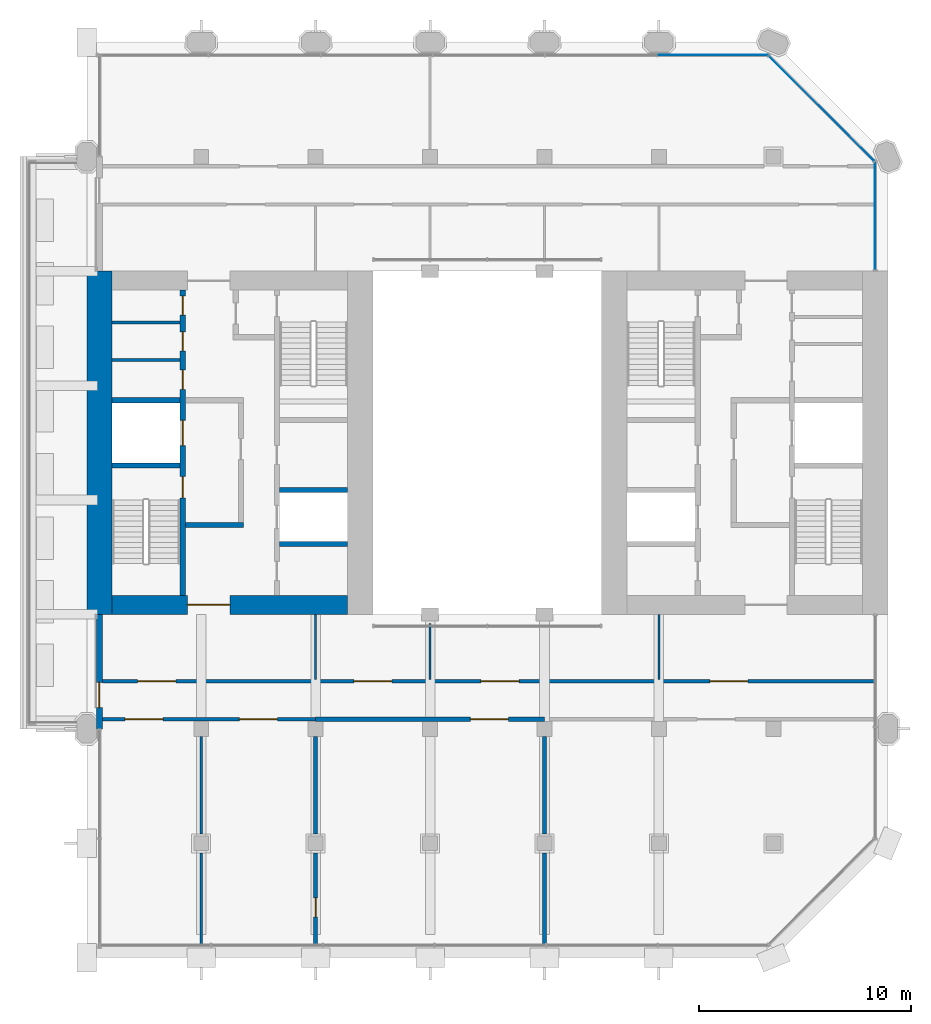
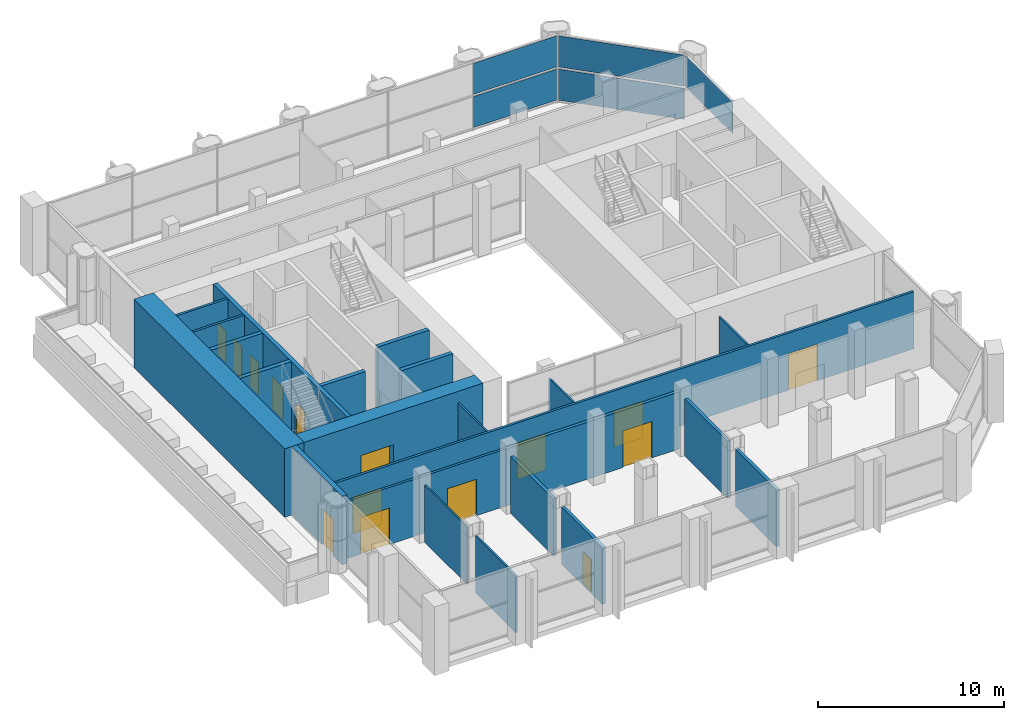
# One storey, part 9 of 14: 23 walls, 15 doors, 5 plates, 15 openings, 3 elements without a shape of their own.
"""IFC4 building model written with IfcOpenShell, lengths in metres."""

from ifc_helpers import new_model, si_unit, direction, frame, frame_2d, origin, origin_2d, place, context, subcontext, project, spatial, rectangle, extrude, material, layer, layer_set, type_object, element, fill, aggregate, save


model = new_model("IFC4")

# Units and contexts
model_context = context("Model", 3, precision=1e-05, world=origin(), true_north=direction((0.0, 1.0)))
body_context = subcontext(model_context, "Body", "Model", "MODEL_VIEW")
ifc_project = project(units=[si_unit("LENGTHUNIT", "METRE"), si_unit("AREAUNIT", "SQUARE_METRE"), si_unit("VOLUMEUNIT", "CUBIC_METRE"), si_unit("PLANEANGLEUNIT", "RADIAN"), si_unit("MASSUNIT", "GRAM", prefix="KILO")], contexts=[model_context])

# Site, building, storey
site_placement = place(None, origin())
site = spatial("IfcSite", under=ifc_project, at=site_placement, CompositionType="ELEMENT")
building_placement = place(site_placement, origin())
building = spatial("IfcBuilding", under=site, at=building_placement, Name="Tabaq Tower and Sports Hall", CompositionType="ELEMENT")
storey_placement = place(building_placement, frame((0.0, 0.0, 250.89990234375)))
storey = spatial("IfcBuildingStorey", under=building, at=storey_placement, Name="L61", CompositionType="ELEMENT", Elevation=250.89990234375)

# Curtain wall, plate
ifc_material_1 = material(Name="Aluminium alloy 6063-T6 framed glazing", Category="aluminium")
curtain_wall_type = type_object("IfcCurtainWallType", Name="CW3 curtain wall", PredefinedType="USERDEFINED", material=ifc_material_1)
curtain_wall_1_placement = place(storey_placement, origin())
curtain_wall_1 = element("IfcCurtainWall", 1, at=curtain_wall_1_placement, inside=storey, type_object=curtain_wall_type, Name="Garden Floor Wall L61 E", ObjectType="GARDEN FLOOR WALL", PredefinedType="USERDEFINED")
ifc_material_2 = material(Name="Clear low-emissivity glass 28 mm", Category="glass")
ifc_layer_1 = layer(ifc_material_2, 0.028076171875)
ifc_layer_set_1 = layer_set([ifc_layer_1], Name="CW3 glass panel 28")
plate_type = type_object("IfcPlateType", Name="CW3 glass panel 28", PredefinedType="CURTAIN_PANEL", material=ifc_layer_set_1)
plate_1_placement = place(storey_placement, frame((42.60009765625, 35.0068359375, 2.320068359375), z_axis=(0.0, 0.0, 1.0), x_axis=(0.0, 1.0, 0.0)))
plate_1 = element("IfcPlate", 2, at=plate_1_placement, type_object=plate_type, Name="CW3 panel 1.2", PredefinedType="CURTAIN_PANEL", context=body_context, shape_type="SweptSolid", body=[
    extrude(rectangle(XDim=5.093505859375, YDim=0.028076171875, at=origin_2d()), origin(), (0.0, 0.0, 1.0), 2.0400390625),
])
aggregate(curtain_wall_1, [plate_1])

# Curtain wall, plates
curtain_wall_2_placement = place(storey_placement, origin())
curtain_wall_2 = element("IfcCurtainWall", 3, at=curtain_wall_2_placement, inside=storey, type_object=curtain_wall_type, Name="Garden Floor Wall L61 NE", ObjectType="GARDEN FLOOR WALL", PredefinedType="USERDEFINED")
plate_2_placement = place(storey_placement, frame((40.07568359375, 40.07568359375, 0.14013671875), z_axis=(0.0, 0.0, 1.0), x_axis=(-0.707106781187, 0.707106781187, 0.0)))
plate_2 = element("IfcPlate", 4, at=plate_2_placement, type_object=plate_type, Name="CW3 panel 1.1", PredefinedType="CURTAIN_PANEL", context=body_context, shape_type="SweptSolid", body=[
    extrude(rectangle(XDim=7.019775390625, YDim=0.028076171875, at=origin_2d()), origin(), (0.0, 0.0, 1.0), 2.0400390625),
])
plate_3_placement = place(storey_placement, frame((40.07568359375, 40.07568359375, 2.320068359375), z_axis=(0.0, 0.0, 1.0), x_axis=(-0.707106781187, 0.707106781187, 0.0)))
plate_3 = element("IfcPlate", 5, at=plate_3_placement, type_object=plate_type, Name="CW3 panel 1.2", PredefinedType="CURTAIN_PANEL", context=body_context, shape_type="SweptSolid", body=[
    extrude(rectangle(XDim=7.019775390625, YDim=0.028076171875, at=origin_2d()), origin(), (0.0, 0.0, 1.0), 2.0400390625),
])
aggregate(curtain_wall_2, [plate_2, plate_3])

curtain_wall_3_placement = place(storey_placement, origin())
curtain_wall_3 = element("IfcCurtainWall", 6, at=curtain_wall_3_placement, inside=storey, type_object=curtain_wall_type, Name="Garden Floor Wall L61 N", ObjectType="GARDEN FLOOR WALL", PredefinedType="USERDEFINED")
plate_4_placement = place(storey_placement, frame((34.95166015625, 42.60009765625, 0.14013671875), z_axis=(0.0, 0.0, 1.0), x_axis=(-1.0, 0.0, 0.0)))
plate_4 = element("IfcPlate", 7, at=plate_4_placement, type_object=plate_type, Name="CW3 panel 1.1", PredefinedType="CURTAIN_PANEL", context=body_context, shape_type="SweptSolid", body=[
    extrude(rectangle(XDim=5.203857421875, YDim=0.028076171875, at=origin_2d()), origin(), (0.0, 0.0, 1.0), 2.0400390625),
])
plate_5_placement = place(storey_placement, frame((34.95166015625, 42.60009765625, 2.320068359375), z_axis=(0.0, 0.0, 1.0), x_axis=(-1.0, 0.0, 0.0)))
plate_5 = element("IfcPlate", 8, at=plate_5_placement, type_object=plate_type, Name="CW3 panel 1.2", PredefinedType="CURTAIN_PANEL", context=body_context, shape_type="SweptSolid", body=[
    extrude(rectangle(XDim=5.203857421875, YDim=0.028076171875, at=origin_2d()), origin(), (0.0, 0.0, 1.0), 2.0400390625),
])
aggregate(curtain_wall_3, [plate_4, plate_5])

# Walls
ifc_material_3 = material(Name="Blockwork", Category="masonry")
ifc_layer_2 = layer(ifc_material_3, 0.14990234375)
ifc_layer_set_2 = layer_set([ifc_layer_2], Name="Core room partition 150 Blockwork")
wall_type_1 = type_object("IfcWallType", Name="Core room partition 150 Blockwork", PredefinedType="PARTITIONING", material=ifc_layer_set_2)
for number, where, z_axis, x_axis, name in (
    (9, (6.60009765625, 28.200927734375, 0.0), (0.0, 0.0, 1.0), (1.0, 0.0, 0.0), "Core room partition W L61"),
    (10, (6.60009765625, 29.97705078125, 0.0), (0.0, 0.0, 1.0), (1.0, 0.0, 0.0), "Core room partition W L61"),
):
    element("IfcWall", number, at=place(storey_placement, frame(where, z_axis=z_axis, x_axis=x_axis)), inside=storey, type_object=wall_type_1, Name=name, PredefinedType="PARTITIONING", context=body_context, shape_type="SweptSolid", body=[
        extrude(rectangle(XDim=3.199951171875, YDim=0.14990234375, at=frame_2d((1.60009765625, 0.0))), origin(), (0.0, 0.0, 1.0), 4.5),
    ])
ifc_material_4 = material(Name="Concrete C40/50", Category="concrete")
ifc_layer_3 = layer(ifc_material_4, 1.199951171875)
ifc_layer_set_3 = layer_set([ifc_layer_3], Name="Core wall 1200 Concrete C40/50")
wall_type_2 = type_object("IfcWallType", Name="Core wall 1200 Concrete C40/50", PredefinedType="SOLIDWALL", material=ifc_layer_set_3)
wall_1_placement = place(storey_placement, frame((6.0, 16.199951171875, 0.0), z_axis=(0.0, 0.0, 1.0), x_axis=(0.0, 1.0, 0.0)))
element("IfcWall", 11, at=wall_1_placement, inside=storey, type_object=wall_type_2, Name="Core wall W L61", PredefinedType="SOLIDWALL", context=body_context, shape_type="SweptSolid", body=[
    extrude(rectangle(XDim=16.199951171875, YDim=1.199951171875, at=frame_2d((8.10009765625, 0.0))), origin(), (0.0, 0.0, 1.0), 4.5),
])

# Wall, opening, door
ifc_material_5 = material(Name="Concrete C40/50", Category="concrete")
ifc_layer_4 = layer(ifc_material_5, 0.89990234375)
ifc_layer_set_4 = layer_set([ifc_layer_4], Name="Core wall 900 Concrete C40/50")
wall_type_3 = type_object("IfcWallType", Name="Core wall 900 Concrete C40/50", PredefinedType="SOLIDWALL", material=ifc_layer_set_4)
wall_2_placement = place(storey_placement, frame((17.699951171875, 16.64990234375, 0.0), z_axis=(0.0, 0.0, 1.0), x_axis=(-1.0, 0.0, 0.0)))
wall_2 = element("IfcWall", 12, at=wall_2_placement, inside=storey, type_object=wall_type_3, Name="Core wall W L61", PredefinedType="SOLIDWALL", context=body_context, shape_type="SweptSolid", body=[
    extrude(rectangle(XDim=11.099853515625, YDim=0.89990234375, at=frame_2d((5.5498046875, 0.0))), origin(), (0.0, 0.0, 1.0), 4.5),
])
opening_1_placement = place(wall_2_placement, frame((5.550048828125, 0.0, 0.0)))
opening_1 = element("IfcOpeningElement", 13, at=opening_1_placement, cuts=wall_2, Name="Opening PD-WL61-01", PredefinedType="OPENING", context=body_context, shape_type="SweptSolid", body=[
    extrude(rectangle(XDim=2.0, YDim=2.39990234375, at=frame_2d((1.0, 1.199951171875))), frame((0.0, 0.449951171875, 0.0), z_axis=(0.0, -1.0, 0.0), x_axis=(1.0, 0.0, 0.0)), (0.0, 0.0, 1.0), 0.89990234375),
])
ifc_material_6 = material(Name="Steel fire door", Category="steel")
door_type_1 = type_object("IfcDoorType", Name="Core entrance door 2000", OperationType="DOUBLE_DOOR_SINGLE_SWING", PredefinedType="DOOR", material=ifc_material_6)
door_1_placement = place(opening_1_placement, origin())
door_1 = element("IfcDoor", 14, at=door_1_placement, inside=storey, type_object=door_type_1, Name="Core entrance south W L61", OperationType="DOUBLE_DOOR_SINGLE_SWING", OverallHeight=2.39990234375, OverallWidth=2.0, PredefinedType="DOOR", context=body_context, shape_type="SweptSolid", body=[
    extrude(rectangle(XDim=2.0, YDim=2.39990234375, at=frame_2d((1.0, 1.199951171875))), frame((0.0, 0.02490234375, 0.0), z_axis=(0.0, -1.0, 0.0), x_axis=(1.0, 0.0, 0.0)), (0.0, 0.0, 1.0), 0.050048828125),
])
fill(opening_1, door_1)

# Walls
ifc_material_7 = material(Name="Blockwork", Category="masonry")
ifc_layer_5 = layer(ifc_material_7, 0.199951171875)
ifc_layer_set_5 = layer_set([ifc_layer_5], Name="Fire compartment wall 200 Blockwork")
wall_type_4 = type_object("IfcWallType", Name="Fire compartment wall 200 Blockwork", PredefinedType="PARTITIONING", material=ifc_layer_set_5)
wall_3_placement = place(storey_placement, frame((27.0, 10.429931640625, 0.0), z_axis=(0.0, 0.0, 1.0), x_axis=(0.0, -1.0, 0.0)))
element("IfcWall", 15, at=wall_3_placement, inside=storey, type_object=wall_type_4, Name="Compartment wall L61", PredefinedType="PARTITIONING", context=body_context, shape_type="SweptSolid", body=[
    extrude(rectangle(XDim=4.579345703125, YDim=0.199951171875, at=frame_2d((2.28955078125, 0.0))), origin(), (0.0, 0.0, 1.0), 3.75),
])
wall_4_placement = place(storey_placement, frame((27.0, 4.94921875, 0.0), z_axis=(0.0, 0.0, 1.0), x_axis=(0.0, -1.0, 0.0)))
element("IfcWall", 16, at=wall_4_placement, inside=storey, type_object=wall_type_4, Name="Compartment wall L61", PredefinedType="PARTITIONING", context=body_context, shape_type="SweptSolid", body=[
    extrude(rectangle(XDim=4.34912109375, YDim=0.199951171875, at=frame_2d((2.174560546875, 0.0))), origin(), (0.0, 0.0, 1.0), 3.75),
])

# Wall, opening, door
wall_5_placement = place(storey_placement, frame((27.0, 11.25, 0.0), z_axis=(0.0, 0.0, 1.0), x_axis=(-1.0, 0.0, 0.0)))
wall_5 = element("IfcWall", 17, at=wall_5_placement, inside=storey, type_object=wall_type_4, Name="Compartment wall L61", PredefinedType="PARTITIONING", context=body_context, shape_type="SweptSolid", body=[
    extrude(rectangle(XDim=10.800048828125, YDim=0.199951171875, at=frame_2d((5.39990234375, 0.0))), origin(), (0.0, 0.0, 1.0), 3.75),
])
opening_2_placement = place(wall_5_placement, frame((1.699951171875, 0.0, 0.0)))
opening_2 = element("IfcOpeningElement", 18, at=opening_2_placement, cuts=wall_5, Name="Opening L61-013", PredefinedType="OPENING", context=body_context, shape_type="SweptSolid", body=[
    extrude(rectangle(XDim=1.800048828125, YDim=2.39990234375, at=frame_2d((0.89990234375, 1.199951171875))), frame((0.0, 0.10009765625, 0.0), z_axis=(0.0, -1.0, 0.0), x_axis=(1.0, 0.0, 0.0)), (0.0, 0.0, 1.0), 0.199951171875),
])
ifc_material_8 = material(Name="Timber leaf in steel frame", Category="steel")
door_type_2 = type_object("IfcDoorType", Name="Internal door 1800", OperationType="DOUBLE_DOOR_SINGLE_SWING", PredefinedType="DOOR", material=ifc_material_8)
door_2_placement = place(opening_2_placement, origin())
door_2 = element("IfcDoor", 19, at=door_2_placement, inside=storey, type_object=door_type_2, Name="Internal door L61-013", OperationType="DOUBLE_DOOR_SINGLE_SWING", OverallHeight=2.39990234375, OverallWidth=1.800048828125, PredefinedType="DOOR", context=body_context, shape_type="SweptSolid", body=[
    extrude(rectangle(XDim=1.800048828125, YDim=2.39990234375, at=frame_2d((0.89990234375, 1.199951171875))), frame((0.0, 0.02490234375, 0.0), z_axis=(0.0, -1.0, 0.0), x_axis=(1.0, 0.0, 0.0)), (0.0, 0.0, 1.0), 0.050048828125),
])
fill(opening_2, door_2)

# Wall
wall_6_placement = place(storey_placement, frame((16.199951171875, 10.429931640625, 0.0), z_axis=(0.0, 0.0, 1.0), x_axis=(0.0, -1.0, 0.0)))
element("IfcWall", 20, at=wall_6_placement, inside=storey, type_object=wall_type_4, Name="Compartment wall L61", PredefinedType="PARTITIONING", context=body_context, shape_type="SweptSolid", body=[
    extrude(rectangle(XDim=4.579345703125, YDim=0.199951171875, at=frame_2d((2.28955078125, 0.0))), origin(), (0.0, 0.0, 1.0), 3.75),
])

# Wall, opening, door
wall_7_placement = place(storey_placement, frame((16.199951171875, 4.94921875, 0.0), z_axis=(0.0, 0.0, 1.0), x_axis=(0.0, -1.0, 0.0)))
wall_7 = element("IfcWall", 21, at=wall_7_placement, inside=storey, type_object=wall_type_4, Name="Compartment wall L61", PredefinedType="PARTITIONING", context=body_context, shape_type="SweptSolid", body=[
    extrude(rectangle(XDim=4.34912109375, YDim=0.199951171875, at=frame_2d((2.174560546875, 0.0))), origin(), (0.0, 0.0, 1.0), 3.75),
])
opening_3_placement = place(wall_7_placement, frame((2.124267578125, 0.0, 0.0)))
opening_3 = element("IfcOpeningElement", 22, at=opening_3_placement, cuts=wall_7, Name="Opening L61-012", PredefinedType="OPENING", context=body_context, shape_type="SweptSolid", body=[
    extrude(rectangle(XDim=0.89990234375, YDim=2.10009765625, at=frame_2d((0.449951171875, 1.050048828125))), frame((0.0, 0.10009765625, 0.0), z_axis=(0.0, -1.0, 0.0), x_axis=(1.0, 0.0, 0.0)), (0.0, 0.0, 1.0), 0.199951171875),
])
ifc_material_9 = material(Name="Timber leaf in steel frame", Category="steel")
door_type_3 = type_object("IfcDoorType", Name="Internal door 900 right hand", OperationType="SINGLE_SWING_RIGHT", PredefinedType="DOOR", material=ifc_material_9)
door_3_placement = place(opening_3_placement, origin())
door_3 = element("IfcDoor", 23, at=door_3_placement, inside=storey, type_object=door_type_3, Name="Internal door L61-012", OperationType="SINGLE_SWING_RIGHT", OverallHeight=2.10009765625, OverallWidth=0.89990234375, PredefinedType="DOOR", context=body_context, shape_type="SweptSolid", body=[
    extrude(rectangle(XDim=0.89990234375, YDim=2.10009765625, at=frame_2d((0.449951171875, 1.050048828125))), frame((0.0, 0.02490234375, 0.0), z_axis=(0.0, -1.0, 0.0), x_axis=(1.0, 0.0, 0.0)), (0.0, 0.0, 1.0), 0.050048828125),
])
fill(opening_3, door_3)

# Walls
ifc_material_10 = material(Name="Gypsum board on steel studs", Category="steel")
ifc_layer_6 = layer(ifc_material_10, 0.10009765625)
ifc_layer_set_6 = layer_set([ifc_layer_6], Name="Partition 100 Gypsum board")
wall_type_5 = type_object("IfcWallType", Name="Partition 100 Gypsum board", PredefinedType="PARTITIONING", material=ifc_layer_set_6)
wall_8_placement = place(storey_placement, frame((10.800048828125, 10.429931640625, 0.0), z_axis=(0.0, 0.0, 1.0), x_axis=(0.0, -1.0, 0.0)))
element("IfcWall", 24, at=wall_8_placement, inside=storey, type_object=wall_type_5, Name="Partition wall L61", PredefinedType="PARTITIONING", context=body_context, shape_type="SweptSolid", body=[
    extrude(rectangle(XDim=4.579345703125, YDim=0.10009765625, at=frame_2d((2.28955078125, 0.0))), origin(), (0.0, 0.0, 1.0), 3.75),
])
wall_9_placement = place(storey_placement, frame((10.800048828125, 4.94921875, 0.0), z_axis=(0.0, 0.0, 1.0), x_axis=(0.0, -1.0, 0.0)))
element("IfcWall", 25, at=wall_9_placement, inside=storey, type_object=wall_type_5, Name="Partition wall L61", PredefinedType="PARTITIONING", context=body_context, shape_type="SweptSolid", body=[
    extrude(rectangle(XDim=4.34912109375, YDim=0.10009765625, at=frame_2d((2.174560546875, 0.0))), origin(), (0.0, 0.0, 1.0), 3.75),
])
wall_10_placement = place(storey_placement, frame((32.39990234375, 13.125, 0.0), z_axis=(0.0, 0.0, 1.0), x_axis=(0.0, 1.0, 0.0)))
element("IfcWall", 26, at=wall_10_placement, inside=storey, type_object=wall_type_5, Name="Partition wall L61", PredefinedType="PARTITIONING", context=body_context, shape_type="SweptSolid", body=[
    extrude(rectangle(XDim=3.074951171875, YDim=0.10009765625, at=frame_2d((1.53759765625, 0.0))), origin(), (0.0, 0.0, 1.0), 3.75),
])
wall_11_placement = place(storey_placement, frame((21.60009765625, 15.780029296875, 0.0), z_axis=(0.0, 0.0, 1.0), x_axis=(0.0, -1.0, 0.0)))
element("IfcWall", 27, at=wall_11_placement, inside=storey, type_object=wall_type_5, Name="Partition wall L61", PredefinedType="PARTITIONING", context=body_context, shape_type="SweptSolid", body=[
    extrude(rectangle(XDim=2.655029296875, YDim=0.10009765625, at=frame_2d((1.32763671875, 0.0))), origin(), (0.0, 0.0, 1.0), 3.75),
])
wall_12_placement = place(storey_placement, frame((16.199951171875, 16.199951171875, 0.0), z_axis=(0.0, 0.0, 1.0), x_axis=(0.0, -1.0, 0.0)))
element("IfcWall", 28, at=wall_12_placement, inside=storey, type_object=wall_type_5, Name="Partition wall L61", PredefinedType="PARTITIONING", context=body_context, shape_type="SweptSolid", body=[
    extrude(rectangle(XDim=3.074951171875, YDim=0.10009765625, at=frame_2d((1.53759765625, 0.0))), origin(), (0.0, 0.0, 1.0), 3.75),
])

# Wall, openings, doors
ifc_material_11 = material(Name="Blockwork", Category="masonry")
ifc_layer_7 = layer(ifc_material_11, 0.14990234375)
ifc_layer_set_7 = layer_set([ifc_layer_7], Name="Separating wall 150 Blockwork")
wall_type_6 = type_object("IfcWallType", Name="Separating wall 150 Blockwork", PredefinedType="PARTITIONING", material=ifc_layer_set_7)
wall_13_placement = place(storey_placement, frame((16.199951171875, 11.25, 0.0), z_axis=(0.0, 0.0, 1.0), x_axis=(-1.0, 0.0, 0.0)))
wall_13 = element("IfcWall", 29, at=wall_13_placement, inside=storey, type_object=wall_type_6, Name="Separating wall L61", PredefinedType="PARTITIONING", context=body_context, shape_type="SweptSolid", body=[
    extrude(rectangle(XDim=10.049072265625, YDim=0.14990234375, at=frame_2d((5.0244140625, 0.0))), origin(), (0.0, 0.0, 1.0), 3.75),
])
opening_4_placement = place(wall_13_placement, frame((7.199951171875, 0.0, 0.0)))
opening_4 = element("IfcOpeningElement", 30, at=opening_4_placement, cuts=wall_13, Name="Opening L61-007", PredefinedType="OPENING", context=body_context, shape_type="SweptSolid", body=[
    extrude(rectangle(XDim=1.800048828125, YDim=2.39990234375, at=frame_2d((0.89990234375, 1.199951171875))), frame((0.0, 0.074951171875, 0.0), z_axis=(0.0, -1.0, 0.0), x_axis=(1.0, 0.0, 0.0)), (0.0, 0.0, 1.0), 0.14990234375),
])
opening_5_placement = place(wall_13_placement, frame((1.800048828125, 0.0, 0.0)))
opening_5 = element("IfcOpeningElement", 31, at=opening_5_placement, cuts=wall_13, Name="Opening L61-014", PredefinedType="OPENING", context=body_context, shape_type="SweptSolid", body=[
    extrude(rectangle(XDim=1.800048828125, YDim=2.39990234375, at=frame_2d((0.89990234375, 1.199951171875))), frame((0.0, 0.074951171875, 0.0), z_axis=(0.0, -1.0, 0.0), x_axis=(1.0, 0.0, 0.0)), (0.0, 0.0, 1.0), 0.14990234375),
])
door_4_placement = place(opening_4_placement, origin())
door_4 = element("IfcDoor", 32, at=door_4_placement, inside=storey, type_object=door_type_2, Name="Internal door L61-007", OperationType="DOUBLE_DOOR_SINGLE_SWING", OverallHeight=2.39990234375, OverallWidth=1.800048828125, PredefinedType="DOOR", context=body_context, shape_type="SweptSolid", body=[
    extrude(rectangle(XDim=1.800048828125, YDim=2.39990234375, at=frame_2d((0.89990234375, 1.199951171875))), frame((0.0, 0.02490234375, 0.0), z_axis=(0.0, -1.0, 0.0), x_axis=(1.0, 0.0, 0.0)), (0.0, 0.0, 1.0), 0.050048828125),
])
fill(opening_4, door_4)
door_5_placement = place(opening_5_placement, origin())
door_5 = element("IfcDoor", 33, at=door_5_placement, inside=storey, type_object=door_type_2, Name="Internal door L61-014", OperationType="DOUBLE_DOOR_SINGLE_SWING", OverallHeight=2.39990234375, OverallWidth=1.800048828125, PredefinedType="DOOR", context=body_context, shape_type="SweptSolid", body=[
    extrude(rectangle(XDim=1.800048828125, YDim=2.39990234375, at=frame_2d((0.89990234375, 1.199951171875))), frame((0.0, 0.02490234375, 0.0), z_axis=(0.0, -1.0, 0.0), x_axis=(1.0, 0.0, 0.0)), (0.0, 0.0, 1.0), 0.050048828125),
])
fill(opening_5, door_5)

wall_14_placement = place(storey_placement, frame((6.15087890625, 13.050048828125, 0.0), z_axis=(0.0, 0.0, 1.0), x_axis=(1.0, 0.0, 0.0)))
wall_14 = element("IfcWall", 34, at=wall_14_placement, inside=storey, type_object=wall_type_6, Name="Separating wall L61", PredefinedType="PARTITIONING", context=body_context, shape_type="SweptSolid", body=[
    extrude(rectangle(XDim=36.44921875, YDim=0.14990234375, at=frame_2d((18.224609375, 0.0))), origin(), (0.0, 0.0, 1.0), 3.75),
])
opening_6_placement = place(wall_14_placement, frame((17.84912109375, 0.0, 0.0)))
opening_6 = element("IfcOpeningElement", 35, at=opening_6_placement, cuts=wall_14, Name="Opening L61-008", PredefinedType="OPENING", context=body_context, shape_type="SweptSolid", body=[
    extrude(rectangle(XDim=1.800048828125, YDim=2.39990234375, at=frame_2d((0.89990234375, 1.199951171875))), frame((0.0, 0.074951171875, 0.0), z_axis=(0.0, -1.0, 0.0), x_axis=(1.0, 0.0, 0.0)), (0.0, 0.0, 1.0), 0.14990234375),
])
opening_7_placement = place(wall_14_placement, frame((11.84912109375, 0.0, 0.0)))
opening_7 = element("IfcOpeningElement", 36, at=opening_7_placement, cuts=wall_14, Name="Opening L61-009", PredefinedType="OPENING", context=body_context, shape_type="SweptSolid", body=[
    extrude(rectangle(XDim=1.800048828125, YDim=2.39990234375, at=frame_2d((0.89990234375, 1.199951171875))), frame((0.0, 0.074951171875, 0.0), z_axis=(0.0, -1.0, 0.0), x_axis=(1.0, 0.0, 0.0)), (0.0, 0.0, 1.0), 0.14990234375),
])
opening_8_placement = place(wall_14_placement, frame((28.64892578125, 0.0, 0.0)))
opening_8 = element("IfcOpeningElement", 37, at=opening_8_placement, cuts=wall_14, Name="Opening L61-015", PredefinedType="OPENING", context=body_context, shape_type="SweptSolid", body=[
    extrude(rectangle(XDim=1.800048828125, YDim=2.39990234375, at=frame_2d((0.89990234375, 1.199951171875))), frame((0.0, 0.074951171875, 0.0), z_axis=(0.0, -1.0, 0.0), x_axis=(1.0, 0.0, 0.0)), (0.0, 0.0, 1.0), 0.14990234375),
])
opening_9_placement = place(wall_14_placement, frame((1.64892578125, 0.0, 0.0)))
opening_9 = element("IfcOpeningElement", 38, at=opening_9_placement, cuts=wall_14, Name="Opening L61-016", PredefinedType="OPENING", context=body_context, shape_type="SweptSolid", body=[
    extrude(rectangle(XDim=1.800048828125, YDim=2.39990234375, at=frame_2d((0.89990234375, 1.199951171875))), frame((0.0, 0.074951171875, 0.0), z_axis=(0.0, -1.0, 0.0), x_axis=(1.0, 0.0, 0.0)), (0.0, 0.0, 1.0), 0.14990234375),
])
door_6_placement = place(opening_6_placement, origin())
door_6 = element("IfcDoor", 39, at=door_6_placement, inside=storey, type_object=door_type_2, Name="Internal door L61-008", OperationType="DOUBLE_DOOR_SINGLE_SWING", OverallHeight=2.39990234375, OverallWidth=1.800048828125, PredefinedType="DOOR", context=body_context, shape_type="SweptSolid", body=[
    extrude(rectangle(XDim=1.800048828125, YDim=2.39990234375, at=frame_2d((0.89990234375, 1.199951171875))), frame((0.0, 0.02490234375, 0.0), z_axis=(0.0, -1.0, 0.0), x_axis=(1.0, 0.0, 0.0)), (0.0, 0.0, 1.0), 0.050048828125),
])
fill(opening_6, door_6)
door_7_placement = place(opening_7_placement, origin())
door_7 = element("IfcDoor", 40, at=door_7_placement, inside=storey, type_object=door_type_2, Name="Internal door L61-009", OperationType="DOUBLE_DOOR_SINGLE_SWING", OverallHeight=2.39990234375, OverallWidth=1.800048828125, PredefinedType="DOOR", context=body_context, shape_type="SweptSolid", body=[
    extrude(rectangle(XDim=1.800048828125, YDim=2.39990234375, at=frame_2d((0.89990234375, 1.199951171875))), frame((0.0, 0.02490234375, 0.0), z_axis=(0.0, -1.0, 0.0), x_axis=(1.0, 0.0, 0.0)), (0.0, 0.0, 1.0), 0.050048828125),
])
fill(opening_7, door_7)
door_8_placement = place(opening_8_placement, origin())
door_8 = element("IfcDoor", 41, at=door_8_placement, inside=storey, type_object=door_type_2, Name="Internal door L61-015", OperationType="DOUBLE_DOOR_SINGLE_SWING", OverallHeight=2.39990234375, OverallWidth=1.800048828125, PredefinedType="DOOR", context=body_context, shape_type="SweptSolid", body=[
    extrude(rectangle(XDim=1.800048828125, YDim=2.39990234375, at=frame_2d((0.89990234375, 1.199951171875))), frame((0.0, 0.02490234375, 0.0), z_axis=(0.0, -1.0, 0.0), x_axis=(1.0, 0.0, 0.0)), (0.0, 0.0, 1.0), 0.050048828125),
])
fill(opening_8, door_8)
door_9_placement = place(opening_9_placement, origin())
door_9 = element("IfcDoor", 42, at=door_9_placement, inside=storey, type_object=door_type_2, Name="Internal door L61-016", OperationType="DOUBLE_DOOR_SINGLE_SWING", OverallHeight=2.39990234375, OverallWidth=1.800048828125, PredefinedType="DOOR", context=body_context, shape_type="SweptSolid", body=[
    extrude(rectangle(XDim=1.800048828125, YDim=2.39990234375, at=frame_2d((0.89990234375, 1.199951171875))), frame((0.0, 0.02490234375, 0.0), z_axis=(0.0, -1.0, 0.0), x_axis=(1.0, 0.0, 0.0)), (0.0, 0.0, 1.0), 0.050048828125),
])
fill(opening_9, door_9)

ifc_material_12 = material(Name="Concrete C40/50", Category="concrete")
ifc_layer_8 = layer(ifc_material_12, 0.25)
ifc_layer_set_8 = layer_set([ifc_layer_8], Name="Shaft and stair wall 250 Concrete C40/50")
wall_type_7 = type_object("IfcWallType", Name="Shaft and stair wall 250 Concrete C40/50", PredefinedType="SOLIDWALL", material=ifc_layer_set_8)
wall_15_placement = place(storey_placement, frame((9.925048828125, 17.10009765625, 0.0), z_axis=(0.0, 0.0, 1.0), x_axis=(0.0, 1.0, 0.0)))
wall_15 = element("IfcWall", 43, at=wall_15_placement, inside=storey, type_object=wall_type_7, Name="Shaft wall W L61", PredefinedType="SOLIDWALL", context=body_context, shape_type="SweptSolid", body=[
    extrude(rectangle(XDim=14.39990234375, YDim=0.25, at=frame_2d((7.199951171875, 0.0))), origin(), (0.0, 0.0, 1.0), 4.5),
])
opening_10_placement = place(wall_15_placement, frame((4.60009765625, 0.0, 0.0)))
opening_10 = element("IfcOpeningElement", 44, at=opening_10_placement, cuts=wall_15, Name="Opening SD-WL61-03", PredefinedType="OPENING", context=body_context, shape_type="SweptSolid", body=[
    extrude(rectangle(XDim=1.0, YDim=2.10009765625, at=frame_2d((0.5, 1.050048828125))), frame((0.0, 0.125, 0.0), z_axis=(0.0, -1.0, 0.0), x_axis=(1.0, 0.0, 0.0)), (0.0, 0.0, 1.0), 0.25),
])
opening_11_placement = place(wall_15_placement, frame((7.0625, 0.0, 0.0)))
opening_11 = element("IfcOpeningElement", 45, at=opening_11_placement, cuts=wall_15, Name="Opening LD-FF1-L61", PredefinedType="OPENING", context=body_context, shape_type="SweptSolid", body=[
    extrude(rectangle(XDim=1.199951171875, YDim=2.10009765625, at=frame_2d((0.60009765625, 1.050048828125))), frame((0.0, 0.125, 0.0), z_axis=(0.0, -1.0, 0.0), x_axis=(1.0, 0.0, 0.0)), (0.0, 0.0, 1.0), 0.25),
])
opening_12_placement = place(wall_15_placement, frame((9.7255859375, 0.0, 0.0)))
opening_12 = element("IfcOpeningElement", 46, at=opening_12_placement, cuts=wall_15, Name="Opening RD-WL61-09", PredefinedType="OPENING", context=body_context, shape_type="SweptSolid", body=[
    extrude(rectangle(XDim=0.89990234375, YDim=2.10009765625, at=frame_2d((0.449951171875, 1.050048828125))), frame((0.0, 0.125, 0.0), z_axis=(0.0, -1.0, 0.0), x_axis=(1.0, 0.0, 0.0)), (0.0, 0.0, 1.0), 0.25),
])
opening_13_placement = place(wall_15_placement, frame((11.5390625, 0.0, 0.0)))
opening_13 = element("IfcOpeningElement", 47, at=opening_13_placement, cuts=wall_15, Name="Opening RD-WL61-10", PredefinedType="OPENING", context=body_context, shape_type="SweptSolid", body=[
    extrude(rectangle(XDim=0.89990234375, YDim=2.10009765625, at=frame_2d((0.449951171875, 1.050048828125))), frame((0.0, 0.125, 0.0), z_axis=(0.0, -1.0, 0.0), x_axis=(1.0, 0.0, 0.0)), (0.0, 0.0, 1.0), 0.25),
])
opening_14_placement = place(wall_15_placement, frame((13.22607421875, 0.0, 0.0)))
opening_14 = element("IfcOpeningElement", 48, at=opening_14_placement, cuts=wall_15, Name="Opening RD-WL61-11", PredefinedType="OPENING", context=body_context, shape_type="SweptSolid", body=[
    extrude(rectangle(XDim=0.89990234375, YDim=2.10009765625, at=frame_2d((0.449951171875, 1.050048828125))), frame((0.0, 0.125, 0.0), z_axis=(0.0, -1.0, 0.0), x_axis=(1.0, 0.0, 0.0)), (0.0, 0.0, 1.0), 0.25),
])
ifc_material_13 = material(Name="Steel fire door", Category="steel")
door_type_4 = type_object("IfcDoorType", Name="Core room door 900", OperationType="SINGLE_SWING_LEFT", PredefinedType="DOOR", material=ifc_material_13)
door_10_placement = place(opening_12_placement, origin())
door_10 = element("IfcDoor", 49, at=door_10_placement, inside=storey, type_object=door_type_4, Name="Door Accessible WC W L61", OperationType="SINGLE_SWING_LEFT", OverallHeight=2.10009765625, OverallWidth=0.89990234375, PredefinedType="DOOR", context=body_context, shape_type="SweptSolid", body=[
    extrude(rectangle(XDim=0.89990234375, YDim=2.10009765625, at=frame_2d((0.449951171875, 1.050048828125))), frame((0.0, 0.02490234375, 0.0), z_axis=(0.0, -1.0, 0.0), x_axis=(1.0, 0.0, 0.0)), (0.0, 0.0, 1.0), 0.050048828125),
])
fill(opening_12, door_10)
door_11_placement = place(opening_13_placement, origin())
door_11 = element("IfcDoor", 50, at=door_11_placement, inside=storey, type_object=door_type_4, Name="Door Unisex WC W L61", OperationType="SINGLE_SWING_LEFT", OverallHeight=2.10009765625, OverallWidth=0.89990234375, PredefinedType="DOOR", context=body_context, shape_type="SweptSolid", body=[
    extrude(rectangle(XDim=0.89990234375, YDim=2.10009765625, at=frame_2d((0.449951171875, 1.050048828125))), frame((0.0, 0.02490234375, 0.0), z_axis=(0.0, -1.0, 0.0), x_axis=(1.0, 0.0, 0.0)), (0.0, 0.0, 1.0), 0.050048828125),
])
fill(opening_13, door_11)
door_12_placement = place(opening_14_placement, origin())
door_12 = element("IfcDoor", 51, at=door_12_placement, inside=storey, type_object=door_type_4, Name="Door Cleaner's Store W L61", OperationType="SINGLE_SWING_LEFT", OverallHeight=2.10009765625, OverallWidth=0.89990234375, PredefinedType="DOOR", context=body_context, shape_type="SweptSolid", body=[
    extrude(rectangle(XDim=0.89990234375, YDim=2.10009765625, at=frame_2d((0.449951171875, 1.050048828125))), frame((0.0, 0.02490234375, 0.0), z_axis=(0.0, -1.0, 0.0), x_axis=(1.0, 0.0, 0.0)), (0.0, 0.0, 1.0), 0.050048828125),
])
fill(opening_14, door_12)
ifc_material_14 = material(Name="Stainless steel", Category="steel")
door_type_5 = type_object("IfcDoorType", Name="Lift landing door 1200", OperationType="DOUBLE_DOOR_SLIDING", PredefinedType="DOOR", material=ifc_material_14)
door_13_placement = place(opening_11_placement, origin())
door_13 = element("IfcDoor", 52, at=door_13_placement, inside=storey, type_object=door_type_5, Name="Lift landing door FF1 W L61", OperationType="DOUBLE_DOOR_SLIDING", OverallHeight=2.10009765625, OverallWidth=1.199951171875, PredefinedType="DOOR", context=body_context, shape_type="SweptSolid", body=[
    extrude(rectangle(XDim=1.199951171875, YDim=2.10009765625, at=frame_2d((0.60009765625, 1.050048828125))), frame((0.0, 0.02490234375, 0.0), z_axis=(0.0, -1.0, 0.0), x_axis=(1.0, 0.0, 0.0)), (0.0, 0.0, 1.0), 0.050048828125),
])
fill(opening_11, door_13)
ifc_material_15 = material(Name="Steel fire door", Category="steel")
door_type_6 = type_object("IfcDoorType", Name="Stair door 1000", OperationType="SINGLE_SWING_LEFT", PredefinedType="DOOR", material=ifc_material_15)
door_14_placement = place(opening_10_placement, origin())
door_14 = element("IfcDoor", 53, at=door_14_placement, inside=storey, type_object=door_type_6, Name="Stair door ST1 W L61", OperationType="SINGLE_SWING_LEFT", OverallHeight=2.10009765625, OverallWidth=1.0, PredefinedType="DOOR", context=body_context, shape_type="SweptSolid", body=[
    extrude(rectangle(XDim=1.0, YDim=2.10009765625, at=frame_2d((0.5, 1.050048828125))), frame((0.0, 0.02490234375, 0.0), z_axis=(0.0, -1.0, 0.0), x_axis=(1.0, 0.0, 0.0)), (0.0, 0.0, 1.0), 0.050048828125),
])
fill(opening_10, door_14)

# Walls
for number, where, z_axis, x_axis, name in (
    (54, (6.60009765625, 23.22509765625, 0.0), (0.0, 0.0, 1.0), (1.0, 0.0, 0.0), "Stair enclosure wall W L61"),
    (55, (14.5, 22.074951171875, 0.0), (0.0, 0.0, 1.0), (1.0, 0.0, 0.0), "Shaft wall W L61"),
    (56, (6.60009765625, 26.300048828125, 0.0), (0.0, 0.0, 1.0), (1.0, 0.0, 0.0), "Shaft wall W L61"),
):
    element("IfcWall", number, at=place(storey_placement, frame(where, z_axis=z_axis, x_axis=x_axis)), inside=storey, type_object=wall_type_7, Name=name, PredefinedType="SOLIDWALL", context=body_context, shape_type="SweptSolid", body=[
        extrude(rectangle(XDim=3.199951171875, YDim=0.25, at=frame_2d((1.60009765625, 0.0))), origin(), (0.0, 0.0, 1.0), 4.5),
    ])
wall_16_placement = place(storey_placement, frame((10.050048828125, 20.425048828125, 0.0), z_axis=(0.0, 0.0, 1.0), x_axis=(1.0, 0.0, 0.0)))
element("IfcWall", 57, at=wall_16_placement, inside=storey, type_object=wall_type_7, Name="Fire-fighting lobby wall W L61", PredefinedType="SOLIDWALL", context=body_context, shape_type="SweptSolid", body=[
    extrude(rectangle(XDim=2.75, YDim=0.25, at=frame_2d((1.375, 0.0))), origin(), (0.0, 0.0, 1.0), 4.5),
])
wall_17_placement = place(storey_placement, frame((14.5, 19.52490234375, 0.0), z_axis=(0.0, 0.0, 1.0), x_axis=(1.0, 0.0, 0.0)))
element("IfcWall", 58, at=wall_17_placement, inside=storey, type_object=wall_type_7, Name="Shaft wall W L61", PredefinedType="SOLIDWALL", context=body_context, shape_type="SweptSolid", body=[
    extrude(rectangle(XDim=3.199951171875, YDim=0.25, at=frame_2d((1.60009765625, 0.0))), origin(), (0.0, 0.0, 1.0), 4.5),
])

# Wall, opening, door
ifc_material_16 = material(Name="White precast concrete C60/75", Category="concrete")
ifc_layer_9 = layer(ifc_material_16, 0.300048828125)
ifc_layer_set_9 = layer_set([ifc_layer_9], Name="White precast concrete C60/75 external wall 300")
wall_type_8 = type_object("IfcWallType", Name="White precast concrete C60/75 external wall 300", PredefinedType="SOLIDWALL", material=ifc_layer_set_9)
wall_18_placement = place(storey_placement, frame((6.0, 16.199951171875, 0.0), z_axis=(0.0, 0.0, 1.0), x_axis=(0.0, -1.0, 0.0)))
wall_18 = element("IfcWall", 59, at=wall_18_placement, inside=storey, type_object=wall_type_8, Name="External Wall L61 W", PredefinedType="SOLIDWALL", context=body_context, shape_type="SweptSolid", body=[
    extrude(rectangle(XDim=5.39990234375, YDim=0.300048828125, at=frame_2d((2.699951171875, 0.0))), origin(), (0.0, 0.0, 1.0), 4.5),
])
opening_15_placement = place(wall_18_placement, frame((3.199951171875, 0.0, 0.0)))
opening_15 = element("IfcOpeningElement", 60, at=opening_15_placement, cuts=wall_18, Name="Opening TD6102", PredefinedType="OPENING", context=body_context, shape_type="SweptSolid", body=[
    extrude(rectangle(XDim=1.199951171875, YDim=2.39990234375, at=frame_2d((0.60009765625, 1.199951171875))), frame((0.0, 0.16015625, 0.0), z_axis=(0.0, -1.0, 0.0), x_axis=(1.0, 0.0, 0.0)), (0.0, 0.0, 1.0), 0.320068359375),
])
ifc_material_17 = material(Name="Aluminium framed clear glazing", Category="aluminium")
door_type_7 = type_object("IfcDoorType", Name="Terrace door TD2", OperationType="SINGLE_SWING_LEFT", PredefinedType="DOOR", material=ifc_material_17)
door_15_placement = place(opening_15_placement, origin())
door_15 = element("IfcDoor", 61, at=door_15_placement, inside=storey, type_object=door_type_7, Name="Terrace door TD6102", OperationType="SINGLE_SWING_LEFT", OverallHeight=2.39990234375, OverallWidth=1.199951171875, PredefinedType="DOOR", context=body_context, shape_type="SweptSolid", body=[
    extrude(rectangle(XDim=1.199951171875, YDim=2.39990234375, at=frame_2d((0.60009765625, 1.199951171875))), frame((0.0, 0.02490234375, 0.0), z_axis=(0.0, -1.0, 0.0), x_axis=(1.0, 0.0, 0.0)), (0.0, 0.0, 1.0), 0.050048828125),
])
fill(opening_15, door_15)

save(model, "model.ifc")
